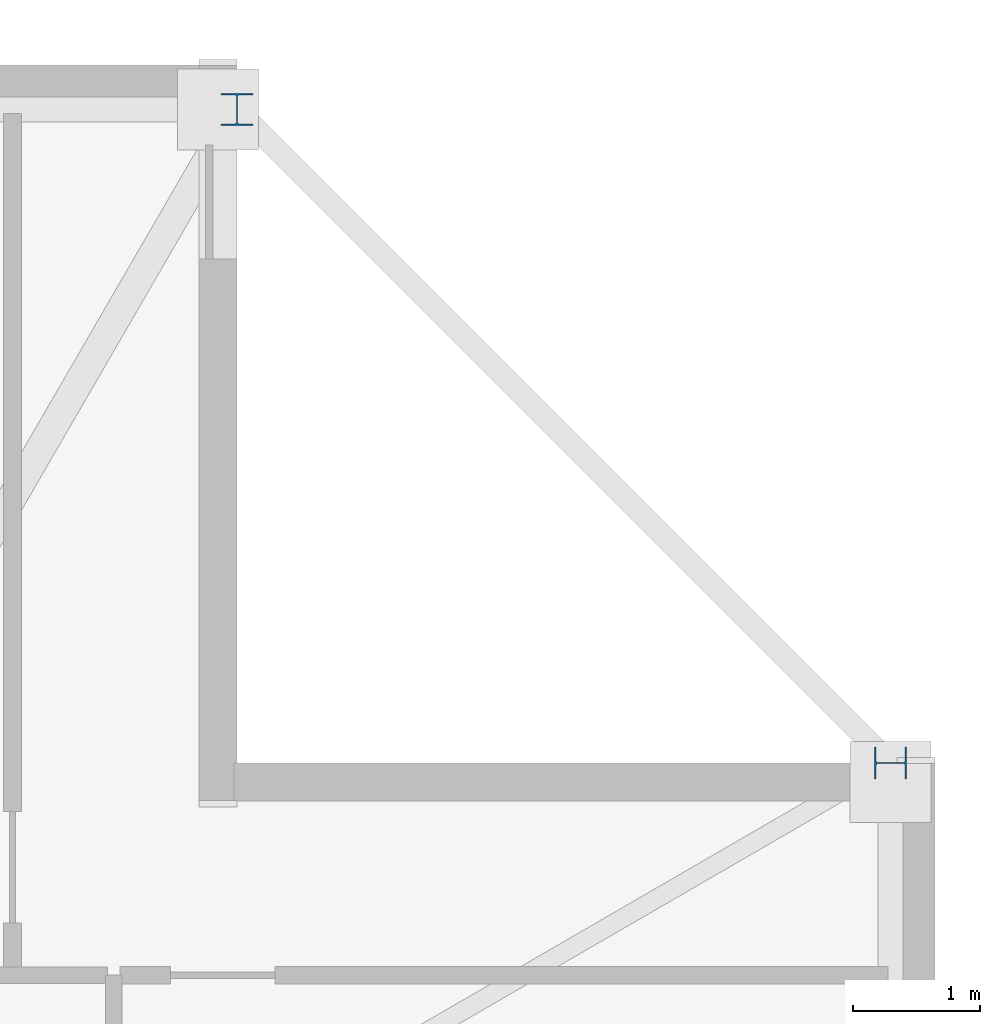
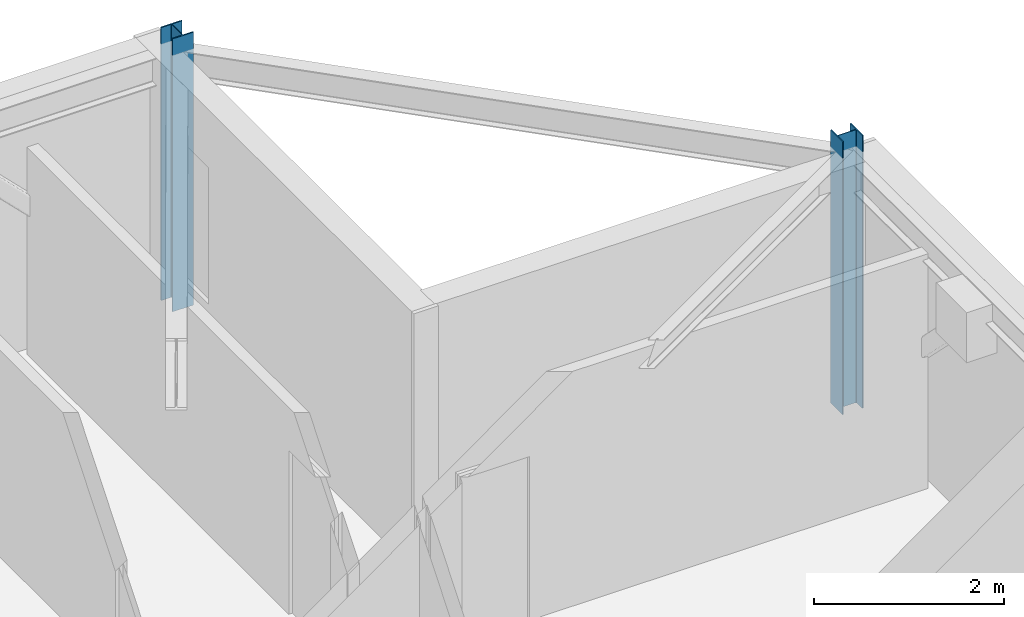
# One storey, part 5 of 16: 2 columns.
"""IFC4 building model written with IfcOpenShell, lengths in metres."""

from ifc_helpers import new_model, si_unit, direction, frame, origin, origin_2d, place, context, subcontext, project, spatial, i_section, extrude, material, material_profile, profile_set, type_object, element, save


model = new_model("IFC4")

# Units and contexts
model_context = context("Model", 3, precision=1e-05, world=origin(), true_north=direction((0.0, 1.0)))
body_context = subcontext(model_context, "Body", "Model", "MODEL_VIEW")
ifc_project = project(units=[si_unit("LENGTHUNIT", "METRE"), si_unit("AREAUNIT", "SQUARE_METRE"), si_unit("VOLUMEUNIT", "CUBIC_METRE"), si_unit("PLANEANGLEUNIT", "RADIAN"), si_unit("MASSUNIT", "GRAM", prefix="KILO")], contexts=[model_context])

# Site, building, storey
site_placement = place(None, origin())
site = spatial("IfcSite", under=ifc_project, at=site_placement, CompositionType="ELEMENT")
building_placement = place(site_placement, origin())
building = spatial("IfcBuilding", under=site, at=building_placement, Name="Cairnveth Concourse Tower", CompositionType="ELEMENT")
storey_placement = place(building_placement, frame((0.0, 0.0, 312.0)))
storey = spatial("IfcBuildingStorey", under=building, at=storey_placement, Name="L86", CompositionType="ELEMENT", Elevation=312.0)

# Columns
ifc_material = material(Name="Steel Grade 350", Category="steel")
ifc_material_profile = material_profile(ifc_material, i_section(OverallWidth=0.25390625, OverallDepth=0.25390625, WebThickness=0.008544921875, FlangeThickness=0.01416015625, FilletRadius=0.012939453125, at=origin_2d()), Name="250UC72.9")
ifc_profile_set = profile_set([ifc_material_profile], Name="Steel Grade 350")
column_type = type_object("IfcColumnType", Name="UNIVERSAL STEEL COLUMN 250UC72.9", PredefinedType="COLUMN", material=ifc_profile_set)
for number, where, z_axis, x_axis, name in (
    (1, (72.64990234375, 54.5, 0.0), (0.0, 0.0, 1.0), (0.0, 1.0, 0.0), "Column P-E4 L86"),
    (2, (67.5, 59.64990234375, 0.0), (0.0, 0.0, 1.0), (1.0, 0.0, 0.0), "Column P-N1 L86"),
):
    element("IfcColumn", number, at=place(storey_placement, frame(where, z_axis=z_axis, x_axis=x_axis)), inside=storey, type_object=column_type, Name=name, PredefinedType="COLUMN", context=body_context, shape_type="SweptSolid", body=[
        extrude(i_section(OverallWidth=0.25390625, OverallDepth=0.25390625, WebThickness=0.008544921875, FlangeThickness=0.01416015625, FilletRadius=0.012939453125, at=origin_2d()), origin(), (0.0, 0.0, 1.0), 3.5),
    ])

save(model, "model.ifc")
